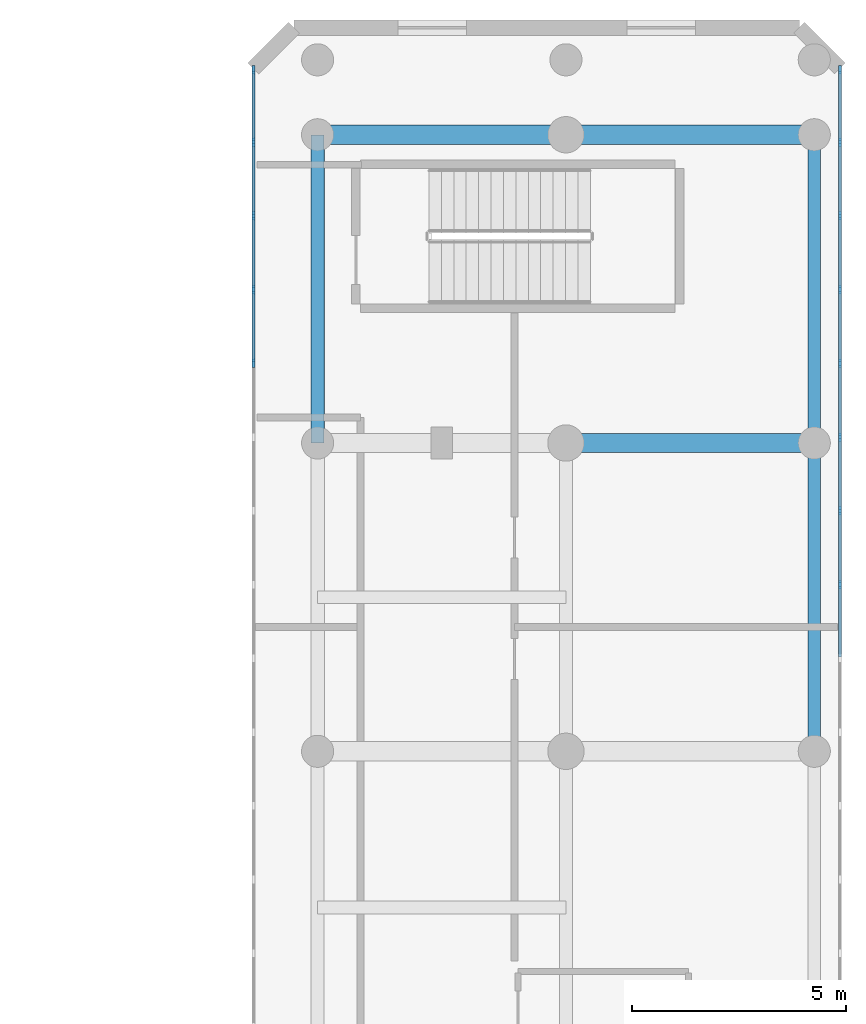
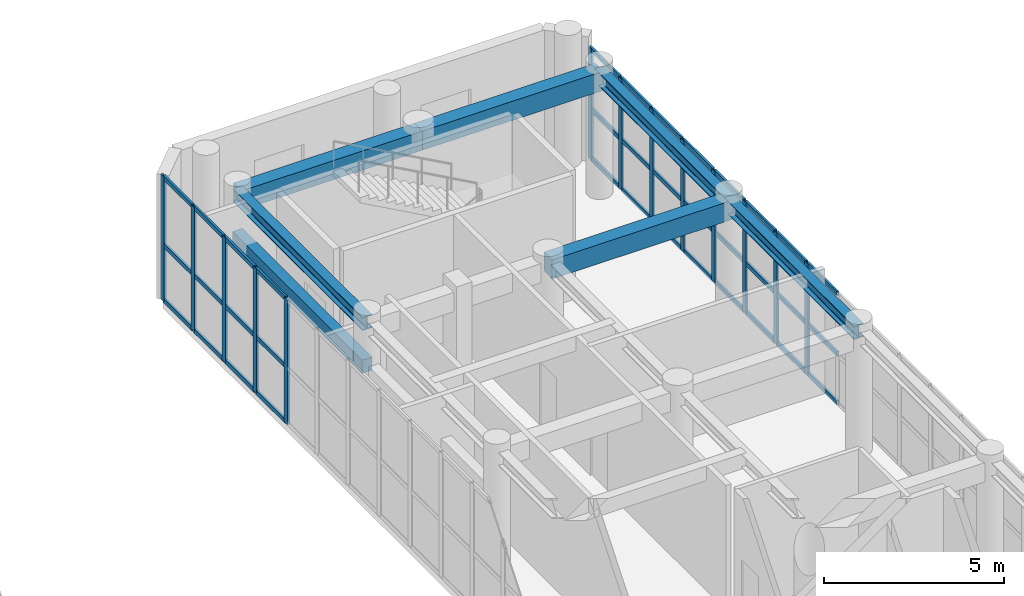
# One storey, part 8 of 24: 49 members, 7 beams, 2 elements without a shape of their own.
"""IFC4 building model written with IfcOpenShell, lengths in metres."""

from ifc_helpers import new_model, si_unit, direction, frame, origin, origin_with_axes, origin_2d, place, context, subcontext, project, spatial, rectangle, i_section, extrude, source, transform, mapped, material, layer, layer_set, material_profile, profile_set, type_object, element, aggregate, save


model = new_model("IFC4")

# Units and contexts
model_context = context("Model", 3, precision=1e-05, world=origin(), true_north=direction((0.0, 1.0)))
body_context = subcontext(model_context, "Body", "Model", "MODEL_VIEW")
ifc_project = project(units=[si_unit("LENGTHUNIT", "METRE"), si_unit("AREAUNIT", "SQUARE_METRE"), si_unit("VOLUMEUNIT", "CUBIC_METRE"), si_unit("PLANEANGLEUNIT", "RADIAN"), si_unit("MASSUNIT", "GRAM", prefix="KILO")], contexts=[model_context])

# Site, building, storey
site_placement = place(None, origin())
site = spatial("IfcSite", under=ifc_project, at=site_placement, CompositionType="ELEMENT")
building_placement = place(site_placement, origin())
building = spatial("IfcBuilding", under=site, at=building_placement, Name="Karkom Vertical University and Central Library", CompositionType="ELEMENT")
storey_placement = place(building_placement, frame((0.0, 0.0, 13.5)))
storey = spatial("IfcBuildingStorey", under=building, at=storey_placement, Name="L03", CompositionType="ELEMENT", Elevation=13.5)

# Beams
ifc_material_1 = material(Name="Concrete C40/50", Category="concrete")
ifc_material_profile_1 = material_profile(ifc_material_1, rectangle(XDim=0.449951171875, YDim=0.64990234375, at=origin_2d()), Name="RCB-450x650")
ifc_profile_set_1 = profile_set([ifc_material_profile_1], Name="Concrete C40/50")
beam_type_1 = type_object("IfcBeamType", Name="STR-BM-BG-4", PredefinedType="USERDEFINED", material=ifc_profile_set_1)
shared_shape_1 = source(origin_with_axes(), body_context, "Body", "SweptSolid", [
    extrude(rectangle(XDim=0.449951171875, YDim=0.64990234375, at=origin_2d()), origin(), (0.0, 0.0, 1.0), 5.7998046875),
])
beam_1_placement = place(storey_placement, frame((69.60009765625, 48.199951171875, 3.89990234375), z_axis=(1.0, 0.0, 0.0), x_axis=(0.0, 1.0, 0.0)))
element("IfcBeam", 1, at=beam_1_placement, inside=storey, type_object=beam_type_1, Name="Level 03 Library Transverse Girder 7.1", ObjectType="GIRDER", PredefinedType="USERDEFINED", context=body_context, shape_type="MappedRepresentation", body=[
    mapped(shared_shape_1, transform((0.0, 0.0, 0.0), scale=1.0)),
])
shared_shape_2 = source(origin_with_axes(), body_context, "Body", "SweptSolid", [
    extrude(rectangle(XDim=0.449951171875, YDim=0.64990234375, at=origin_2d()), origin(), (0.0, 0.0, 1.0), 5.800048828125),
])
for number, where, z_axis, x_axis, name in (
    (2, (75.39990234375, 41.0, 3.89990234375), (1.0, 0.0, 0.0), (0.0, 1.0, 0.0), "Level 03 Library Transverse Girder 6.2"),
    (3, (75.39990234375, 48.199951171875, 3.89990234375), (1.0, 0.0, 0.0), (0.0, 1.0, 0.0), "Level 03 Library Transverse Girder 7.2"),
):
    element("IfcBeam", number, at=place(storey_placement, frame(where, z_axis=z_axis, x_axis=x_axis)), inside=storey, type_object=beam_type_1, Name=name, ObjectType="GIRDER", PredefinedType="USERDEFINED", context=body_context, shape_type="MappedRepresentation", body=[
        mapped(shared_shape_2, transform((0.0, 0.0, 0.0), scale=1.0)),
    ])
ifc_material_2 = material(Name="Steel S355", Category="steel")
ifc_material_profile_2 = material_profile(ifc_material_2, i_section(OverallWidth=0.300048828125, OverallDepth=0.449951171875, WebThickness=0.013916015625, FlangeThickness=0.02587890625, FilletRadius=0.027099609375, at=origin_2d()), Name="HE 450 B")
ifc_profile_set_2 = profile_set([ifc_material_profile_2], Name="Steel S355")
beam_type_2 = type_object("IfcBeamType", Name="STR-BM-SB-HE450", PredefinedType="BEAM", material=ifc_profile_set_2)
shared_shape_3 = source(origin_with_axes(), body_context, "Body", "SweptSolid", [
    extrude(i_section(OverallWidth=0.300048828125, OverallDepth=0.449951171875, WebThickness=0.013916015625, FlangeThickness=0.02587890625, FilletRadius=0.027099609375, at=origin_2d()), origin(), (0.0, 0.0, 1.0), 7.199951171875),
])
for number, where, z_axis, x_axis, name in (
    (4, (69.60009765625, 41.0, 4.0), (0.0, 1.0, 0.0), (-1.0, 0.0, 0.0), "Level 03 Library Longitudinal Beam 1.6"),
    (5, (81.199951171875, 33.800048828125, 4.0), (0.0, 1.0, 0.0), (-1.0, 0.0, 0.0), "Level 03 Library Longitudinal Beam 3.5"),
    (6, (81.199951171875, 41.0, 4.0), (0.0, 1.0, 0.0), (-1.0, 0.0, 0.0), "Level 03 Library Longitudinal Beam 3.6"),
):
    element("IfcBeam", number, at=place(storey_placement, frame(where, z_axis=z_axis, x_axis=x_axis)), inside=storey, type_object=beam_type_2, Name=name, PredefinedType="BEAM", context=body_context, shape_type="MappedRepresentation", body=[
        mapped(shared_shape_3, transform((0.0, 0.0, 0.0), scale=1.0)),
    ])
ifc_material_3 = material(Name="Precast concrete C45/55", Category="concrete")
ifc_material_profile_3 = material_profile(ifc_material_3, rectangle(XDim=0.320068359375, YDim=0.449951171875, at=origin_2d()), Name="RCL-320x450")
ifc_profile_set_3 = profile_set([ifc_material_profile_3], Name="Precast concrete C45/55")
beam_type_3 = type_object("IfcBeamType", Name="STR-BM-LN-1", PredefinedType="LINTEL", material=ifc_profile_set_3)
shared_shape_4 = source(origin_with_axes(), body_context, "Body", "SweptSolid", [
    extrude(rectangle(XDim=0.320068359375, YDim=0.449951171875, at=origin_2d()), origin(), (0.0, 0.0, 1.0), 7.199951171875),
])
beam_2_placement = place(storey_placement, frame((69.60009765625, 41.0, 2.550048828125), z_axis=(0.0, 1.0, 0.0), x_axis=(-1.0, 0.0, 0.0)))
element("IfcBeam", 7, at=beam_2_placement, inside=storey, type_object=beam_type_3, Name="Level 03 Brutalist Concrete Portal Lintel 4", PredefinedType="LINTEL", context=body_context, shape_type="MappedRepresentation", body=[
    mapped(shared_shape_4, transform((0.0, 0.0, 0.0), scale=1.0)),
])

# Curtain wall, members
ifc_material_4 = material(Name="Aluminium curtain-wall framing and low-E IGU", Category="aluminium")
ifc_layer = layer(ifc_material_4, 0.199951171875)
ifc_layer_set = layer_set([ifc_layer], Name="Aluminium curtain-wall framing and low-E IGU")
curtain_wall_type = type_object("IfcCurtainWallType", Name="ENV-CW-1", PredefinedType="USERDEFINED", material=ifc_layer_set)
curtain_wall_1_placement = place(storey_placement, origin())
curtain_wall_1 = element("IfcCurtainWall", 8, at=curtain_wall_1_placement, inside=storey, type_object=curtain_wall_type, Name="Level 03 CW-1 Curtain Wall Level 03-CW-1-LIB-3", ObjectType="STICK MULLION GLAZING", PredefinedType="USERDEFINED")
ifc_material_5 = material(Name="Anodised Aluminium 6063-T6", Category="aluminium")
ifc_material_profile_4 = material_profile(ifc_material_5, rectangle(XDim=0.070068359375, YDim=0.199951171875, at=origin_2d()), Name="ALU-M70x200")
ifc_profile_set_4 = profile_set([ifc_material_profile_4], Name="Anodised Aluminium 6063-T6")
member_type_1 = type_object("IfcMemberType", Name="ENV-MEM-ALU-M70x200", PredefinedType="MULLION", material=ifc_profile_set_4)
shared_shape_5 = source(origin_with_axes(), body_context, "Body", "SweptSolid", [
    extrude(rectangle(XDim=0.070068359375, YDim=0.199951171875, at=origin_2d()), origin(), (0.0, 0.0, 1.0), 3.77490234375),
])
member_1_placement = place(storey_placement, frame((81.800048828125, 37.6943359375, 0.0), z_axis=(0.0, 0.0, 1.0), x_axis=(-1.0, 0.0, 0.0)))
member_1 = element("IfcMember", 9, at=member_1_placement, type_object=member_type_1, Name="CW-1 mullion 21", PredefinedType="MULLION", context=body_context, shape_type="MappedRepresentation", body=[
    mapped(shared_shape_5, transform((0.0, 0.0, 0.0), scale=1.0)),
])
member_2_placement = place(storey_placement, frame((81.800048828125, 39.416748046875, 0.0), z_axis=(0.0, 0.0, 1.0), x_axis=(-1.0, 0.0, 0.0)))
member_2 = element("IfcMember", 10, at=member_2_placement, type_object=member_type_1, Name="CW-1 mullion 22", PredefinedType="MULLION", context=body_context, shape_type="MappedRepresentation", body=[
    mapped(shared_shape_5, transform((0.0, 0.0, 0.0), scale=1.0)),
])
member_3_placement = place(storey_placement, frame((81.800048828125, 41.138916015625, 0.0), z_axis=(0.0, 0.0, 1.0), x_axis=(-1.0, 0.0, 0.0)))
member_3 = element("IfcMember", 11, at=member_3_placement, type_object=member_type_1, Name="CW-1 mullion 23", PredefinedType="MULLION", context=body_context, shape_type="MappedRepresentation", body=[
    mapped(shared_shape_5, transform((0.0, 0.0, 0.0), scale=1.0)),
])
member_4_placement = place(storey_placement, frame((81.800048828125, 42.861083984375, 0.0), z_axis=(0.0, 0.0, 1.0), x_axis=(-1.0, 0.0, 0.0)))
member_4 = element("IfcMember", 12, at=member_4_placement, type_object=member_type_1, Name="CW-1 mullion 24", PredefinedType="MULLION", context=body_context, shape_type="MappedRepresentation", body=[
    mapped(shared_shape_5, transform((0.0, 0.0, 0.0), scale=1.0)),
])
member_5_placement = place(storey_placement, frame((81.800048828125, 44.583251953125, 0.0), z_axis=(0.0, 0.0, 1.0), x_axis=(-1.0, 0.0, 0.0)))
member_5 = element("IfcMember", 13, at=member_5_placement, type_object=member_type_1, Name="CW-1 mullion 25", PredefinedType="MULLION", context=body_context, shape_type="MappedRepresentation", body=[
    mapped(shared_shape_5, transform((0.0, 0.0, 0.0), scale=1.0)),
])
member_6_placement = place(storey_placement, frame((81.800048828125, 46.3056640625, 0.0), z_axis=(0.0, 0.0, 1.0), x_axis=(-1.0, 0.0, 0.0)))
member_6 = element("IfcMember", 14, at=member_6_placement, type_object=member_type_1, Name="CW-1 mullion 26", PredefinedType="MULLION", context=body_context, shape_type="MappedRepresentation", body=[
    mapped(shared_shape_5, transform((0.0, 0.0, 0.0), scale=1.0)),
])
member_7_placement = place(storey_placement, frame((81.800048828125, 48.02783203125, 0.0), z_axis=(0.0, 0.0, 1.0), x_axis=(-1.0, 0.0, 0.0)))
member_7 = element("IfcMember", 15, at=member_7_placement, type_object=member_type_1, Name="CW-1 mullion 27", PredefinedType="MULLION", context=body_context, shape_type="MappedRepresentation", body=[
    mapped(shared_shape_5, transform((0.0, 0.0, 0.0), scale=1.0)),
])
member_8_placement = place(storey_placement, frame((81.800048828125, 49.715087890625, 0.0), z_axis=(0.0, 0.0, 1.0), x_axis=(-1.0, 0.0, 0.0)))
member_8 = element("IfcMember", 16, at=member_8_placement, type_object=member_type_1, Name="CW-1 mullion 28", PredefinedType="MULLION", context=body_context, shape_type="MappedRepresentation", body=[
    mapped(shared_shape_5, transform((0.0, 0.0, 0.0), scale=1.0)),
])
ifc_material_profile_5 = material_profile(ifc_material_5, rectangle(XDim=0.070068359375, YDim=0.14990234375, at=origin_2d()), Name="ALU-T70x150")
ifc_profile_set_5 = profile_set([ifc_material_profile_5], Name="Anodised Aluminium 6063-T6")
member_type_2 = type_object("IfcMemberType", Name="ENV-MEM-ALU-T70x150", PredefinedType="USERDEFINED", material=ifc_profile_set_5)
shared_shape_6 = source(origin_with_axes(), body_context, "Body", "SweptSolid", [
    extrude(rectangle(XDim=0.070068359375, YDim=0.14990234375, at=origin_2d()), origin(), (0.0, 0.0, 1.0), 1.6171875),
])
member_9_placement = place(storey_placement, frame((81.800048828125, 48.062744140625, 0.034912109375), z_axis=(0.0, 1.0, 0.0), x_axis=(-1.0, 0.0, 0.0)))
member_9 = element("IfcMember", 17, at=member_9_placement, type_object=member_type_2, Name="CW-1 transom 27.1", ObjectType="TRANSOM", PredefinedType="USERDEFINED", context=body_context, shape_type="MappedRepresentation", body=[
    mapped(shared_shape_6, transform((0.0, 0.0, 0.0), scale=1.0)),
])
member_10_placement = place(storey_placement, frame((81.800048828125, 48.062744140625, 1.69873046875), z_axis=(0.0, 1.0, 0.0), x_axis=(-1.0, 0.0, 0.0)))
member_10 = element("IfcMember", 18, at=member_10_placement, type_object=member_type_2, Name="CW-1 transom 27.2", ObjectType="TRANSOM", PredefinedType="USERDEFINED", context=body_context, shape_type="MappedRepresentation", body=[
    mapped(shared_shape_6, transform((0.0, 0.0, 0.0), scale=1.0)),
])
member_11_placement = place(storey_placement, frame((81.800048828125, 48.062744140625, 3.739990234375), z_axis=(0.0, 1.0, 0.0), x_axis=(-1.0, 0.0, 0.0)))
member_11 = element("IfcMember", 19, at=member_11_placement, type_object=member_type_2, Name="CW-1 transom 27.3", ObjectType="TRANSOM", PredefinedType="USERDEFINED", context=body_context, shape_type="MappedRepresentation", body=[
    mapped(shared_shape_6, transform((0.0, 0.0, 0.0), scale=1.0)),
])

curtain_wall_2_placement = place(storey_placement, origin())
curtain_wall_2 = element("IfcCurtainWall", 20, at=curtain_wall_2_placement, inside=storey, type_object=curtain_wall_type, Name="Level 03 CW-1 Curtain Wall Level 03-CW-1-LIB-7", ObjectType="STICK MULLION GLAZING", PredefinedType="USERDEFINED")
member_12_placement = place(storey_placement, frame((68.10009765625, 49.679931640625, 0.034912109375), z_axis=(0.0, -1.0, 0.0), x_axis=(1.0, 0.0, 0.0)))
member_12 = element("IfcMember", 21, at=member_12_placement, type_object=member_type_2, Name="CW-1 transom 1.1", ObjectType="TRANSOM", PredefinedType="USERDEFINED", context=body_context, shape_type="MappedRepresentation", body=[
    mapped(shared_shape_6, transform((0.0, 0.0, 0.0), scale=1.0)),
])
member_13_placement = place(storey_placement, frame((68.10009765625, 49.679931640625, 1.901123046875), z_axis=(0.0, -1.0, 0.0), x_axis=(1.0, 0.0, 0.0)))
member_13 = element("IfcMember", 22, at=member_13_placement, type_object=member_type_2, Name="CW-1 transom 1.2", ObjectType="TRANSOM", PredefinedType="USERDEFINED", context=body_context, shape_type="MappedRepresentation", body=[
    mapped(shared_shape_6, transform((0.0, 0.0, 0.0), scale=1.0)),
])
member_14_placement = place(storey_placement, frame((68.10009765625, 49.679931640625, 4.18994140625), z_axis=(0.0, -1.0, 0.0), x_axis=(1.0, 0.0, 0.0)))
member_14 = element("IfcMember", 23, at=member_14_placement, type_object=member_type_2, Name="CW-1 transom 1.3", ObjectType="TRANSOM", PredefinedType="USERDEFINED", context=body_context, shape_type="MappedRepresentation", body=[
    mapped(shared_shape_6, transform((0.0, 0.0, 0.0), scale=1.0)),
])

# Member
shared_shape_7 = source(origin_with_axes(), body_context, "Body", "SweptSolid", [
    extrude(rectangle(XDim=0.070068359375, YDim=0.14990234375, at=origin_2d()), origin(), (0.0, 0.0, 1.0), 1.652099609375),
])
member_15_placement = place(storey_placement, frame((81.800048828125, 36.00732421875, 0.034912109375), z_axis=(0.0, 1.0, 0.0), x_axis=(-1.0, 0.0, 0.0)))
member_15 = element("IfcMember", 24, at=member_15_placement, type_object=member_type_2, Name="CW-1 transom 20.1", ObjectType="TRANSOM", PredefinedType="USERDEFINED", context=body_context, shape_type="MappedRepresentation", body=[
    mapped(shared_shape_7, transform((0.0, 0.0, 0.0), scale=1.0)),
])

member_16_placement = place(storey_placement, frame((81.800048828125, 36.00732421875, 1.69873046875), z_axis=(0.0, 1.0, 0.0), x_axis=(-1.0, 0.0, 0.0)))
member_16 = element("IfcMember", 25, at=member_16_placement, type_object=member_type_2, Name="CW-1 transom 20.2", ObjectType="TRANSOM", PredefinedType="USERDEFINED", context=body_context, shape_type="MappedRepresentation", body=[
    mapped(shared_shape_7, transform((0.0, 0.0, 0.0), scale=1.0)),
])

member_17_placement = place(storey_placement, frame((81.800048828125, 36.00732421875, 3.739990234375), z_axis=(0.0, 1.0, 0.0), x_axis=(-1.0, 0.0, 0.0)))
member_17 = element("IfcMember", 26, at=member_17_placement, type_object=member_type_2, Name="CW-1 transom 20.3", ObjectType="TRANSOM", PredefinedType="USERDEFINED", context=body_context, shape_type="MappedRepresentation", body=[
    mapped(shared_shape_7, transform((0.0, 0.0, 0.0), scale=1.0)),
])

member_18_placement = place(storey_placement, frame((81.800048828125, 37.7294921875, 0.034912109375), z_axis=(0.0, 1.0, 0.0), x_axis=(-1.0, 0.0, 0.0)))
member_18 = element("IfcMember", 27, at=member_18_placement, type_object=member_type_2, Name="CW-1 transom 21.1", ObjectType="TRANSOM", PredefinedType="USERDEFINED", context=body_context, shape_type="MappedRepresentation", body=[
    mapped(shared_shape_7, transform((0.0, 0.0, 0.0), scale=1.0)),
])

member_19_placement = place(storey_placement, frame((81.800048828125, 37.7294921875, 1.69873046875), z_axis=(0.0, 1.0, 0.0), x_axis=(-1.0, 0.0, 0.0)))
member_19 = element("IfcMember", 28, at=member_19_placement, type_object=member_type_2, Name="CW-1 transom 21.2", ObjectType="TRANSOM", PredefinedType="USERDEFINED", context=body_context, shape_type="MappedRepresentation", body=[
    mapped(shared_shape_7, transform((0.0, 0.0, 0.0), scale=1.0)),
])

member_20_placement = place(storey_placement, frame((81.800048828125, 37.7294921875, 3.739990234375), z_axis=(0.0, 1.0, 0.0), x_axis=(-1.0, 0.0, 0.0)))
member_20 = element("IfcMember", 29, at=member_20_placement, type_object=member_type_2, Name="CW-1 transom 21.3", ObjectType="TRANSOM", PredefinedType="USERDEFINED", context=body_context, shape_type="MappedRepresentation", body=[
    mapped(shared_shape_7, transform((0.0, 0.0, 0.0), scale=1.0)),
])

member_21_placement = place(storey_placement, frame((81.800048828125, 44.618408203125, 0.034912109375), z_axis=(0.0, 1.0, 0.0), x_axis=(-1.0, 0.0, 0.0)))
member_21 = element("IfcMember", 30, at=member_21_placement, type_object=member_type_2, Name="CW-1 transom 25.1", ObjectType="TRANSOM", PredefinedType="USERDEFINED", context=body_context, shape_type="MappedRepresentation", body=[
    mapped(shared_shape_7, transform((0.0, 0.0, 0.0), scale=1.0)),
])

member_22_placement = place(storey_placement, frame((81.800048828125, 44.618408203125, 1.69873046875), z_axis=(0.0, 1.0, 0.0), x_axis=(-1.0, 0.0, 0.0)))
member_22 = element("IfcMember", 31, at=member_22_placement, type_object=member_type_2, Name="CW-1 transom 25.2", ObjectType="TRANSOM", PredefinedType="USERDEFINED", context=body_context, shape_type="MappedRepresentation", body=[
    mapped(shared_shape_7, transform((0.0, 0.0, 0.0), scale=1.0)),
])

member_23_placement = place(storey_placement, frame((81.800048828125, 44.618408203125, 3.739990234375), z_axis=(0.0, 1.0, 0.0), x_axis=(-1.0, 0.0, 0.0)))
member_23 = element("IfcMember", 32, at=member_23_placement, type_object=member_type_2, Name="CW-1 transom 25.3", ObjectType="TRANSOM", PredefinedType="USERDEFINED", context=body_context, shape_type="MappedRepresentation", body=[
    mapped(shared_shape_7, transform((0.0, 0.0, 0.0), scale=1.0)),
])

member_24_placement = place(storey_placement, frame((81.800048828125, 46.340576171875, 0.034912109375), z_axis=(0.0, 1.0, 0.0), x_axis=(-1.0, 0.0, 0.0)))
member_24 = element("IfcMember", 33, at=member_24_placement, type_object=member_type_2, Name="CW-1 transom 26.1", ObjectType="TRANSOM", PredefinedType="USERDEFINED", context=body_context, shape_type="MappedRepresentation", body=[
    mapped(shared_shape_7, transform((0.0, 0.0, 0.0), scale=1.0)),
])

member_25_placement = place(storey_placement, frame((81.800048828125, 46.340576171875, 1.69873046875), z_axis=(0.0, 1.0, 0.0), x_axis=(-1.0, 0.0, 0.0)))
member_25 = element("IfcMember", 34, at=member_25_placement, type_object=member_type_2, Name="CW-1 transom 26.2", ObjectType="TRANSOM", PredefinedType="USERDEFINED", context=body_context, shape_type="MappedRepresentation", body=[
    mapped(shared_shape_7, transform((0.0, 0.0, 0.0), scale=1.0)),
])

member_26_placement = place(storey_placement, frame((81.800048828125, 46.340576171875, 3.739990234375), z_axis=(0.0, 1.0, 0.0), x_axis=(-1.0, 0.0, 0.0)))
member_26 = element("IfcMember", 35, at=member_26_placement, type_object=member_type_2, Name="CW-1 transom 26.3", ObjectType="TRANSOM", PredefinedType="USERDEFINED", context=body_context, shape_type="MappedRepresentation", body=[
    mapped(shared_shape_7, transform((0.0, 0.0, 0.0), scale=1.0)),
])

member_27_placement = place(storey_placement, frame((68.10009765625, 47.99267578125, 0.034912109375), z_axis=(0.0, -1.0, 0.0), x_axis=(1.0, 0.0, 0.0)))
member_27 = element("IfcMember", 36, at=member_27_placement, type_object=member_type_2, Name="CW-1 transom 2.1", ObjectType="TRANSOM", PredefinedType="USERDEFINED", context=body_context, shape_type="MappedRepresentation", body=[
    mapped(shared_shape_7, transform((0.0, 0.0, 0.0), scale=1.0)),
])

member_28_placement = place(storey_placement, frame((68.10009765625, 47.99267578125, 1.901123046875), z_axis=(0.0, -1.0, 0.0), x_axis=(1.0, 0.0, 0.0)))
member_28 = element("IfcMember", 37, at=member_28_placement, type_object=member_type_2, Name="CW-1 transom 2.2", ObjectType="TRANSOM", PredefinedType="USERDEFINED", context=body_context, shape_type="MappedRepresentation", body=[
    mapped(shared_shape_7, transform((0.0, 0.0, 0.0), scale=1.0)),
])

member_29_placement = place(storey_placement, frame((68.10009765625, 47.99267578125, 4.18994140625), z_axis=(0.0, -1.0, 0.0), x_axis=(1.0, 0.0, 0.0)))
member_29 = element("IfcMember", 38, at=member_29_placement, type_object=member_type_2, Name="CW-1 transom 2.3", ObjectType="TRANSOM", PredefinedType="USERDEFINED", context=body_context, shape_type="MappedRepresentation", body=[
    mapped(shared_shape_7, transform((0.0, 0.0, 0.0), scale=1.0)),
])

member_30_placement = place(storey_placement, frame((68.10009765625, 46.2705078125, 0.034912109375), z_axis=(0.0, -1.0, 0.0), x_axis=(1.0, 0.0, 0.0)))
member_30 = element("IfcMember", 39, at=member_30_placement, type_object=member_type_2, Name="CW-1 transom 3.1", ObjectType="TRANSOM", PredefinedType="USERDEFINED", context=body_context, shape_type="MappedRepresentation", body=[
    mapped(shared_shape_7, transform((0.0, 0.0, 0.0), scale=1.0)),
])

member_31_placement = place(storey_placement, frame((68.10009765625, 46.2705078125, 1.901123046875), z_axis=(0.0, -1.0, 0.0), x_axis=(1.0, 0.0, 0.0)))
member_31 = element("IfcMember", 40, at=member_31_placement, type_object=member_type_2, Name="CW-1 transom 3.2", ObjectType="TRANSOM", PredefinedType="USERDEFINED", context=body_context, shape_type="MappedRepresentation", body=[
    mapped(shared_shape_7, transform((0.0, 0.0, 0.0), scale=1.0)),
])

member_32_placement = place(storey_placement, frame((68.10009765625, 46.2705078125, 4.18994140625), z_axis=(0.0, -1.0, 0.0), x_axis=(1.0, 0.0, 0.0)))
member_32 = element("IfcMember", 41, at=member_32_placement, type_object=member_type_2, Name="CW-1 transom 3.3", ObjectType="TRANSOM", PredefinedType="USERDEFINED", context=body_context, shape_type="MappedRepresentation", body=[
    mapped(shared_shape_7, transform((0.0, 0.0, 0.0), scale=1.0)),
])

shared_shape_8 = source(origin_with_axes(), body_context, "Body", "SweptSolid", [
    extrude(rectangle(XDim=0.070068359375, YDim=0.14990234375, at=origin_2d()), origin(), (0.0, 0.0, 1.0), 1.65234375),
])
member_33_placement = place(storey_placement, frame((81.800048828125, 39.45166015625, 0.034912109375), z_axis=(0.0, 1.0, 0.0), x_axis=(-1.0, 0.0, 0.0)))
member_33 = element("IfcMember", 42, at=member_33_placement, type_object=member_type_2, Name="CW-1 transom 22.1", ObjectType="TRANSOM", PredefinedType="USERDEFINED", context=body_context, shape_type="MappedRepresentation", body=[
    mapped(shared_shape_8, transform((0.0, 0.0, 0.0), scale=1.0)),
])

member_34_placement = place(storey_placement, frame((81.800048828125, 39.45166015625, 1.69873046875), z_axis=(0.0, 1.0, 0.0), x_axis=(-1.0, 0.0, 0.0)))
member_34 = element("IfcMember", 43, at=member_34_placement, type_object=member_type_2, Name="CW-1 transom 22.2", ObjectType="TRANSOM", PredefinedType="USERDEFINED", context=body_context, shape_type="MappedRepresentation", body=[
    mapped(shared_shape_8, transform((0.0, 0.0, 0.0), scale=1.0)),
])

member_35_placement = place(storey_placement, frame((81.800048828125, 39.45166015625, 3.739990234375), z_axis=(0.0, 1.0, 0.0), x_axis=(-1.0, 0.0, 0.0)))
member_35 = element("IfcMember", 44, at=member_35_placement, type_object=member_type_2, Name="CW-1 transom 22.3", ObjectType="TRANSOM", PredefinedType="USERDEFINED", context=body_context, shape_type="MappedRepresentation", body=[
    mapped(shared_shape_8, transform((0.0, 0.0, 0.0), scale=1.0)),
])

member_36_placement = place(storey_placement, frame((81.800048828125, 41.173828125, 0.034912109375), z_axis=(0.0, 1.0, 0.0), x_axis=(-1.0, 0.0, 0.0)))
member_36 = element("IfcMember", 45, at=member_36_placement, type_object=member_type_2, Name="CW-1 transom 23.1", ObjectType="TRANSOM", PredefinedType="USERDEFINED", context=body_context, shape_type="MappedRepresentation", body=[
    mapped(shared_shape_8, transform((0.0, 0.0, 0.0), scale=1.0)),
])

member_37_placement = place(storey_placement, frame((81.800048828125, 41.173828125, 1.69873046875), z_axis=(0.0, 1.0, 0.0), x_axis=(-1.0, 0.0, 0.0)))
member_37 = element("IfcMember", 46, at=member_37_placement, type_object=member_type_2, Name="CW-1 transom 23.2", ObjectType="TRANSOM", PredefinedType="USERDEFINED", context=body_context, shape_type="MappedRepresentation", body=[
    mapped(shared_shape_8, transform((0.0, 0.0, 0.0), scale=1.0)),
])

member_38_placement = place(storey_placement, frame((81.800048828125, 41.173828125, 3.739990234375), z_axis=(0.0, 1.0, 0.0), x_axis=(-1.0, 0.0, 0.0)))
member_38 = element("IfcMember", 47, at=member_38_placement, type_object=member_type_2, Name="CW-1 transom 23.3", ObjectType="TRANSOM", PredefinedType="USERDEFINED", context=body_context, shape_type="MappedRepresentation", body=[
    mapped(shared_shape_8, transform((0.0, 0.0, 0.0), scale=1.0)),
])

member_39_placement = place(storey_placement, frame((81.800048828125, 42.89599609375, 0.034912109375), z_axis=(0.0, 1.0, 0.0), x_axis=(-1.0, 0.0, 0.0)))
member_39 = element("IfcMember", 48, at=member_39_placement, type_object=member_type_2, Name="CW-1 transom 24.1", ObjectType="TRANSOM", PredefinedType="USERDEFINED", context=body_context, shape_type="MappedRepresentation", body=[
    mapped(shared_shape_8, transform((0.0, 0.0, 0.0), scale=1.0)),
])

member_40_placement = place(storey_placement, frame((81.800048828125, 42.89599609375, 1.69873046875), z_axis=(0.0, 1.0, 0.0), x_axis=(-1.0, 0.0, 0.0)))
member_40 = element("IfcMember", 49, at=member_40_placement, type_object=member_type_2, Name="CW-1 transom 24.2", ObjectType="TRANSOM", PredefinedType="USERDEFINED", context=body_context, shape_type="MappedRepresentation", body=[
    mapped(shared_shape_8, transform((0.0, 0.0, 0.0), scale=1.0)),
])

member_41_placement = place(storey_placement, frame((81.800048828125, 42.89599609375, 3.739990234375), z_axis=(0.0, 1.0, 0.0), x_axis=(-1.0, 0.0, 0.0)))
member_41 = element("IfcMember", 50, at=member_41_placement, type_object=member_type_2, Name="CW-1 transom 24.3", ObjectType="TRANSOM", PredefinedType="USERDEFINED", context=body_context, shape_type="MappedRepresentation", body=[
    mapped(shared_shape_8, transform((0.0, 0.0, 0.0), scale=1.0)),
])

aggregate(curtain_wall_1, [member_1, member_2, member_3, member_4, member_5, member_6, member_7, member_8, member_15, member_16, member_17, member_18, member_19, member_20, member_33, member_34, member_35, member_36, member_37, member_38, member_39, member_40, member_41, member_21, member_22, member_23, member_24, member_25, member_26, member_9, member_10, member_11])

member_42_placement = place(storey_placement, frame((68.10009765625, 44.54833984375, 0.034912109375), z_axis=(0.0, -1.0, 0.0), x_axis=(1.0, 0.0, 0.0)))
member_42 = element("IfcMember", 51, at=member_42_placement, type_object=member_type_2, Name="CW-1 transom 4.1", ObjectType="TRANSOM", PredefinedType="USERDEFINED", context=body_context, shape_type="MappedRepresentation", body=[
    mapped(shared_shape_8, transform((0.0, 0.0, 0.0), scale=1.0)),
])

member_43_placement = place(storey_placement, frame((68.10009765625, 44.54833984375, 1.901123046875), z_axis=(0.0, -1.0, 0.0), x_axis=(1.0, 0.0, 0.0)))
member_43 = element("IfcMember", 52, at=member_43_placement, type_object=member_type_2, Name="CW-1 transom 4.2", ObjectType="TRANSOM", PredefinedType="USERDEFINED", context=body_context, shape_type="MappedRepresentation", body=[
    mapped(shared_shape_8, transform((0.0, 0.0, 0.0), scale=1.0)),
])

member_44_placement = place(storey_placement, frame((68.10009765625, 44.54833984375, 4.18994140625), z_axis=(0.0, -1.0, 0.0), x_axis=(1.0, 0.0, 0.0)))
member_44 = element("IfcMember", 53, at=member_44_placement, type_object=member_type_2, Name="CW-1 transom 4.3", ObjectType="TRANSOM", PredefinedType="USERDEFINED", context=body_context, shape_type="MappedRepresentation", body=[
    mapped(shared_shape_8, transform((0.0, 0.0, 0.0), scale=1.0)),
])

shared_shape_9 = source(origin_with_axes(), body_context, "Body", "SweptSolid", [
    extrude(rectangle(XDim=0.070068359375, YDim=0.199951171875, at=origin_2d()), origin(), (0.0, 0.0, 1.0), 4.22509765625),
])
member_45_placement = place(storey_placement, frame((68.10009765625, 49.715087890625, 0.0), z_axis=(0.0, 0.0, 1.0), x_axis=(1.0, 0.0, 0.0)))
member_45 = element("IfcMember", 54, at=member_45_placement, type_object=member_type_1, Name="CW-1 mullion 1", PredefinedType="MULLION", context=body_context, shape_type="MappedRepresentation", body=[
    mapped(shared_shape_9, transform((0.0, 0.0, 0.0), scale=1.0)),
])

member_46_placement = place(storey_placement, frame((68.10009765625, 48.02783203125, 0.0), z_axis=(0.0, 0.0, 1.0), x_axis=(1.0, 0.0, 0.0)))
member_46 = element("IfcMember", 55, at=member_46_placement, type_object=member_type_1, Name="CW-1 mullion 2", PredefinedType="MULLION", context=body_context, shape_type="MappedRepresentation", body=[
    mapped(shared_shape_9, transform((0.0, 0.0, 0.0), scale=1.0)),
])

member_47_placement = place(storey_placement, frame((68.10009765625, 46.3056640625, 0.0), z_axis=(0.0, 0.0, 1.0), x_axis=(1.0, 0.0, 0.0)))
member_47 = element("IfcMember", 56, at=member_47_placement, type_object=member_type_1, Name="CW-1 mullion 3", PredefinedType="MULLION", context=body_context, shape_type="MappedRepresentation", body=[
    mapped(shared_shape_9, transform((0.0, 0.0, 0.0), scale=1.0)),
])

member_48_placement = place(storey_placement, frame((68.10009765625, 44.583251953125, 0.0), z_axis=(0.0, 0.0, 1.0), x_axis=(1.0, 0.0, 0.0)))
member_48 = element("IfcMember", 57, at=member_48_placement, type_object=member_type_1, Name="CW-1 mullion 4", PredefinedType="MULLION", context=body_context, shape_type="MappedRepresentation", body=[
    mapped(shared_shape_9, transform((0.0, 0.0, 0.0), scale=1.0)),
])

member_49_placement = place(storey_placement, frame((68.10009765625, 42.861083984375, 0.0), z_axis=(0.0, 0.0, 1.0), x_axis=(1.0, 0.0, 0.0)))
member_49 = element("IfcMember", 58, at=member_49_placement, type_object=member_type_1, Name="CW-1 mullion 5", PredefinedType="MULLION", context=body_context, shape_type="MappedRepresentation", body=[
    mapped(shared_shape_9, transform((0.0, 0.0, 0.0), scale=1.0)),
])

aggregate(curtain_wall_2, [member_45, member_46, member_47, member_48, member_49, member_12, member_13, member_14, member_27, member_28, member_29, member_30, member_31, member_32, member_42, member_43, member_44])

save(model, "model.ifc")
